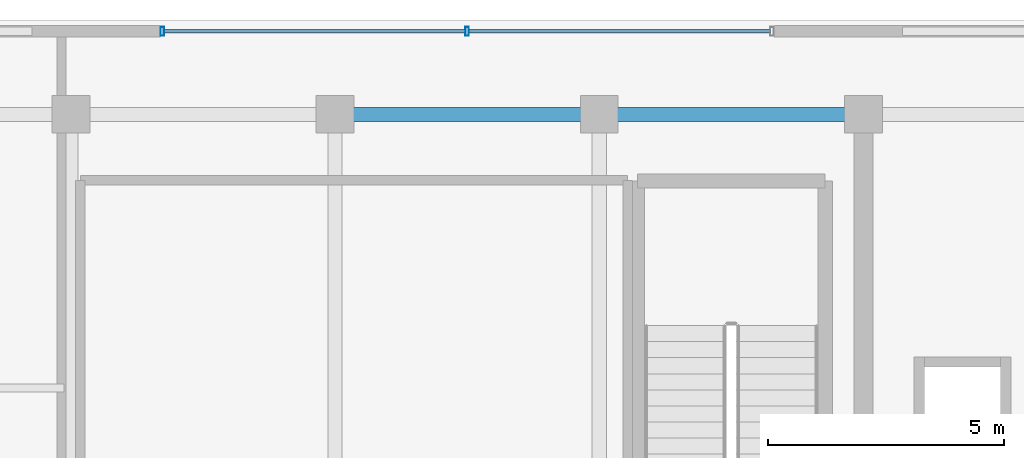
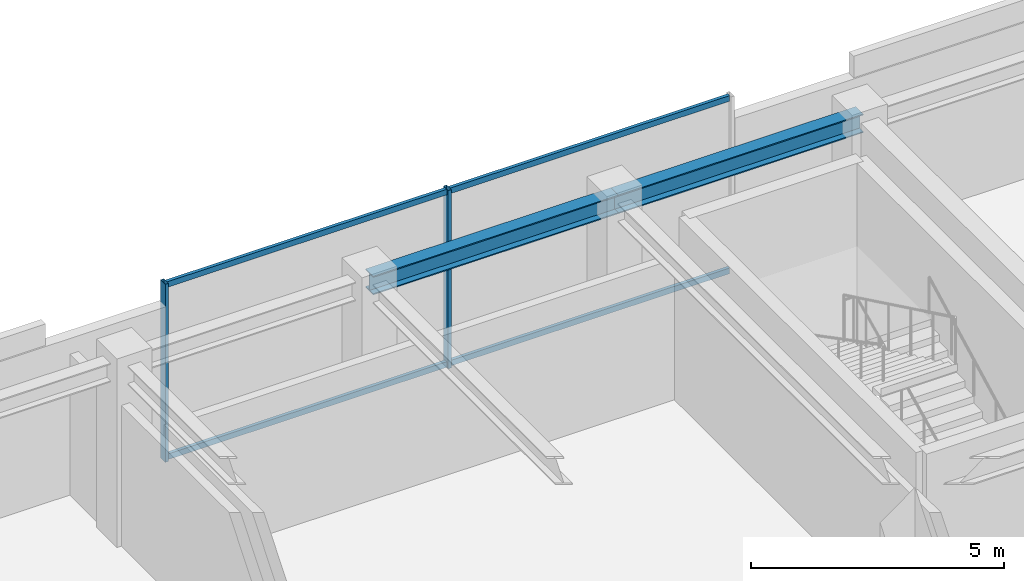
# One storey, part 12 of 18: 6 members, 2 beams, 1 element without a shape of its own.
"""IFC4 building model written with IfcOpenShell, lengths in metres."""

import ifcopenshell
import ifcopenshell.guid

model = None  # the IFC model being written
_history = None  # IfcOwnerHistory: only IFC2X3 demands one
_inside = {}  # id of a spatial element -> (the spatial element, [elements in it])
_under = {}  # id of a project, library or spatial element -> (it, [spatial elements below it])
_declared = {}  # id of a project -> (the project, [libraries it declares])
_typed = {}  # id of a type object -> (the type object, [elements of that type])
_made_of = {}  # id of a material, layer set ... -> (it, [elements and type objects made of it])


def new_model(schema):
    """Start an empty IFC model of exactly this schema.

    Asked for "IFC4X3", IfcOpenShell would pick the latest addendum, in which some entities
    have other attributes; the version numbers below select the first issue.
    IFC2X3 requires an IfcOwnerHistory on every rooted entity: one is made here for all.
    """
    global model, _history
    if schema == "IFC4X3":
        model = ifcopenshell.file(schema_version=(4, 3, 0, 0))
    else:
        model = ifcopenshell.file(schema=schema)
    _inside.clear()
    _under.clear()
    _declared.clear()
    _typed.clear()
    _made_of.clear()
    _history = None
    if model.schema == "IFC2X3":
        org = make("IfcOrganization", Name="unknown")
        user = make(
            "IfcPersonAndOrganization",
            ThePerson=make("IfcPerson", FamilyName="unknown"),
            TheOrganization=org,
        )
        app = make(
            "IfcApplication",
            ApplicationDeveloper=org,
            Version="unknown",
            ApplicationFullName="unknown",
            ApplicationIdentifier="unknown",
        )
        _history = make(
            "IfcOwnerHistory",
            OwningUser=user,
            OwningApplication=app,
            ChangeAction="ADDED",
            CreationDate=0,
        )
    return model


def make(cls, **values):
    """One entity of the class cls with the attributes given. An attribute that is None is left unset."""
    return model.create_entity(
        cls, **{name: value for name, value in values.items() if value is not None}
    )


def rooted(cls, **values):
    """An entity with a GlobalId (a new one), such as an element, a storey or a relation."""
    return make(cls, GlobalId=ifcopenshell.guid.new(), OwnerHistory=_history, **values)


def si_unit(unit_type, name, prefix=None):
    """IfcSIUnit, for example si_unit("LENGTHUNIT", "METRE", prefix="MILLI")."""
    return make("IfcSIUnit", UnitType=unit_type, Prefix=prefix, Name=name)


def assignment(units):
    """IfcUnitAssignment: the units of a project."""
    return None if units is None else make("IfcUnitAssignment", Units=units)


def point(xyz):
    """IfcCartesianPoint."""
    return None if xyz is None else make("IfcCartesianPoint", Coordinates=xyz)


def direction(xyz):
    """IfcDirection."""
    return None if xyz is None else make("IfcDirection", DirectionRatios=xyz)


def frame(location, z_axis=None, x_axis=None):
    """IfcAxis2Placement3D, a coordinate frame: its origin and axes. An axis left out is left unset."""
    return make(
        "IfcAxis2Placement3D",
        Location=point(location),
        Axis=direction(z_axis),
        RefDirection=direction(x_axis),
    )


def frame_2d(location, x_axis=None):
    """IfcAxis2Placement2D, a coordinate frame in the plane: its origin and x axis."""
    return make(
        "IfcAxis2Placement2D", Location=point(location), RefDirection=direction(x_axis)
    )


def origin():
    """The frame at (0, 0, 0) with its axes left unset."""
    return frame((0.0, 0.0, 0.0))


def origin_2d():
    """The frame at (0, 0) in the plane with its x axis left unset."""
    return frame_2d((0.0, 0.0))


def place(relative_to, where):
    """IfcLocalPlacement: puts the frame where relative to a parent placement (None: the world)."""
    return make(
        "IfcLocalPlacement", PlacementRelTo=relative_to, RelativePlacement=where
    )


def context(
    kind, dimensions, precision=None, world=None, true_north=None, identifier=None
):
    """IfcGeometricRepresentationContext, for example the 3D "Model" context."""
    return make(
        "IfcGeometricRepresentationContext",
        ContextIdentifier=identifier,
        ContextType=kind,
        CoordinateSpaceDimension=dimensions,
        Precision=precision,
        WorldCoordinateSystem=world,
        TrueNorth=true_north,
    )


def subcontext(parent, identifier, kind, view, scale=None):
    """IfcGeometricRepresentationSubContext, for example "Body" below "Model"."""
    return make(
        "IfcGeometricRepresentationSubContext",
        ContextIdentifier=identifier,
        ContextType=kind,
        ParentContext=parent,
        TargetScale=scale,
        TargetView=view,
    )


def project(units=None, contexts=None):
    """IfcProject with its units and contexts."""
    return rooted(
        "IfcProject",
        Name="project",
        RepresentationContexts=contexts,
        UnitsInContext=assignment(units),
    )


def spatial(cls, under=None, at=None, **own):
    """A site, building, storey or space (cls), placed at a placement, below another one or the project."""
    s = rooted(cls, ObjectPlacement=at, **own)
    if under is not None:
        _under.setdefault(under.id(), (under, []))[1].append(s)
    return s


def profile(cls, at=None, kind="AREA", **sizes):
    """A parametric profile (cls). Its sizes go by their IFC names, for example OverallWidth=200.0."""
    return make(cls, ProfileType=kind, Position=at, **sizes)


def hollow_rectangle(**sizes):
    """IfcRectangleHollowProfileDef."""
    return profile("IfcRectangleHollowProfileDef", **sizes)


def i_section(**sizes):
    """IfcIShapeProfileDef."""
    return profile("IfcIShapeProfileDef", **sizes)


def extrude(swept, where, along, depth):
    """IfcExtrudedAreaSolid: the profile swept, set in the frame where, extruded along a direction by depth."""
    return make(
        "IfcExtrudedAreaSolid",
        SweptArea=swept,
        Position=where,
        ExtrudedDirection=direction(along),
        Depth=depth,
    )


def shape(context_of_items, identifier, shape_type, items):
    """IfcShapeRepresentation: the items that make up one representation, for example the "Body"."""
    return make(
        "IfcShapeRepresentation",
        ContextOfItems=context_of_items,
        RepresentationIdentifier=identifier,
        RepresentationType=shape_type,
        Items=items,
    )


def source(mapping_origin, context_of_items, identifier, shape_type, items):
    """IfcRepresentationMap: a shape defined once, which mapped items show again and again."""
    return make(
        "IfcRepresentationMap",
        MappingOrigin=mapping_origin,
        MappedRepresentation=shape(context_of_items, identifier, shape_type, items),
    )


def transform(
    local_origin,
    x_axis=None,
    y_axis=None,
    z_axis=None,
    scale=None,
    scale2=None,
    scale3=None,
    uniform=True,
):
    """IfcCartesianTransformationOperator3D, or its non-uniform kind. x_axis, y_axis, z_axis: its Axis1, 2, 3."""
    if uniform:
        return make(
            "IfcCartesianTransformationOperator3D",
            Axis1=direction(x_axis),
            Axis2=direction(y_axis),
            LocalOrigin=point(local_origin),
            Scale=scale,
            Axis3=direction(z_axis),
        )
    return make(
        "IfcCartesianTransformationOperator3DnonUniform",
        Axis1=direction(x_axis),
        Axis2=direction(y_axis),
        LocalOrigin=point(local_origin),
        Scale=scale,
        Axis3=direction(z_axis),
        Scale2=scale2,
        Scale3=scale3,
    )


def mapped(mapping_source, mapping_target):
    """IfcMappedItem: shows the shape of a source again, moved by a transform."""
    return make(
        "IfcMappedItem", MappingSource=mapping_source, MappingTarget=mapping_target
    )


def material(Name=None, Category=None):
    """IfcMaterial."""
    return make("IfcMaterial", Name=Name, Category=Category)


def material_profile(
    of_material, cross_section, Name=None, Category=None, Priority=None
):
    """IfcMaterialProfile: a cross section and its material."""
    return make(
        "IfcMaterialProfile",
        Name=Name,
        Material=of_material,
        Profile=cross_section,
        Priority=Priority,
        Category=Category,
    )


def profile_set(profiles, Name=None, composite=None):
    """IfcMaterialProfileSet."""
    return make(
        "IfcMaterialProfileSet",
        Name=Name,
        MaterialProfiles=profiles,
        CompositeProfile=composite,
    )


def made_of(thing, what):
    """Note that an element or type object is made of a material, layer set ...; save() writes the relation."""
    if what is not None:
        _made_of.setdefault(what.id(), (what, []))[1].append(thing)
    return thing


def type_object(cls, material=None, **own):
    """A type object (cls), such as IfcWallType, which elements share."""
    return made_of(rooted(cls, **own), material)


def element(
    cls,
    number,
    at=None,
    inside=None,
    cuts=None,
    type_object=None,
    material=None,
    context=None,
    identifier="Body",
    shape_type=None,
    held_by="IfcProductDefinitionShape",
    body=None,
    shapes=None,
    **own,
):
    """One element of the class cls, such as IfcWall. Its Tag is "e" and its number.

    at: its placement. inside: the storey or other place that contains it. cuts: it is an
    opening in that element (IfcRelVoidsElement). A single representation is given by context,
    identifier, shape_type and body (its items); several are given by shapes. held_by: the class
    of the entity that holds the representations. save() writes the other relations.
    """
    e = rooted(cls, Tag="e%d" % number, ObjectPlacement=at, **own)
    if body is not None:
        shapes = [shape(context, identifier, shape_type, body)]
    if shapes is not None:
        e.Representation = make(held_by, Representations=shapes)
    if inside is not None:
        _inside.setdefault(inside.id(), (inside, []))[1].append(e)
    if cuts is not None:
        rooted(
            "IfcRelVoidsElement", RelatingBuildingElement=cuts, RelatedOpeningElement=e
        )
    if type_object is not None:
        _typed.setdefault(type_object.id(), (type_object, []))[1].append(e)
    return made_of(e, material)


def aggregate(whole, parts):
    """IfcRelAggregates: a whole, such as a stair, and the parts it consists of."""
    return rooted("IfcRelAggregates", RelatingObject=whole, RelatedObjects=parts)


def save(model, path):
    """Write the relations noted so far, then the file.

    IfcRelAggregates (storeys below a building ...), IfcRelContainedInSpatialStructure (elements
    in a storey), IfcRelDefinesByType, IfcRelAssociatesMaterial and IfcRelDeclares: one each for
    every whole, place, type object, material and project.
    """
    for whole, parts in _under.values():
        aggregate(whole, parts)
    for where, things in _inside.values():
        rooted(
            "IfcRelContainedInSpatialStructure",
            RelatedElements=things,
            RelatingStructure=where,
        )
    for kind, things in _typed.values():
        rooted("IfcRelDefinesByType", RelatedObjects=things, RelatingType=kind)
    for what, things in _made_of.values():
        rooted("IfcRelAssociatesMaterial", RelatedObjects=things, RelatingMaterial=what)
    for by, libraries in _declared.values():
        rooted("IfcRelDeclares", RelatingContext=by, RelatedDefinitions=libraries)
    model.write(path)


model = new_model("IFC4")

# Units and contexts
model_context = context("Model", 3, precision=1e-05, world=origin(), true_north=direction((0.0, 1.0)))
body_context = subcontext(model_context, "Body", "Model", "MODEL_VIEW")
ifc_project = project(units=[si_unit("LENGTHUNIT", "METRE"), si_unit("AREAUNIT", "SQUARE_METRE"), si_unit("VOLUMEUNIT", "CUBIC_METRE"), si_unit("PLANEANGLEUNIT", "RADIAN"), si_unit("MASSUNIT", "GRAM", prefix="KILO")], contexts=[model_context])

# Site, building, storey
site_placement = place(None, origin())
site = spatial("IfcSite", under=ifc_project, at=site_placement, CompositionType="ELEMENT")
building_placement = place(site_placement, origin())
building = spatial("IfcBuilding", under=site, at=building_placement, Name="Nahalor Promenade Grand Hotel", CompositionType="ELEMENT")
storey_placement = place(building_placement, frame((0.0, 0.0, 366.25)))
storey = spatial("IfcBuildingStorey", under=building, at=storey_placement, Name="L93", CompositionType="ELEMENT", Elevation=366.25)

# Beams
ifc_material_1 = material(Name="Steel S355JR", Category="steel")
ifc_material_profile_1 = material_profile(ifc_material_1, i_section(OverallWidth=0.3, OverallDepth=0.45, WebThickness=0.014, FlangeThickness=0.026, at=origin_2d()), Name="HEB 450")
ifc_profile_set_1 = profile_set([ifc_material_profile_1], Name="Steel S355JR")
beam_type = type_object("IfcBeamType", Name="Beam-Girder-HEB450", PredefinedType="BEAM", material=ifc_profile_set_1)
shared_shape_1 = source(origin(), body_context, "Body", "SweptSolid", [
    extrude(i_section(OverallWidth=0.3, OverallDepth=0.45, WebThickness=0.014, FlangeThickness=0.026, at=origin_2d()), origin(), (0.0, 0.0, 1.0), 5.599853515625),
])
beam_1_placement = place(storey_placement, frame((2.800048828125, 17.0, 4.074951171875), z_axis=(1.0, 0.0, 0.0), x_axis=(0.0, 1.0, 0.0)))
element("IfcBeam", 1, at=beam_1_placement, inside=storey, type_object=beam_type, Name="BM-L93-GX-3-3", PredefinedType="BEAM", context=body_context, shape_type="MappedRepresentation", body=[
    mapped(shared_shape_1, transform((0.0, 0.0, 0.0), scale=1.0)),
])
shared_shape_2 = source(origin(), body_context, "Body", "SweptSolid", [
    extrude(i_section(OverallWidth=0.3, OverallDepth=0.45, WebThickness=0.014, FlangeThickness=0.026, at=origin_2d()), origin(), (0.0, 0.0, 1.0), 5.60009765625),
])
beam_2_placement = place(storey_placement, frame((-2.800048828125, 17.0, 4.074951171875), z_axis=(1.0, 0.0, 0.0), x_axis=(0.0, 1.0, 0.0)))
element("IfcBeam", 2, at=beam_2_placement, inside=storey, type_object=beam_type, Name="BM-L93-GX-3-2", PredefinedType="BEAM", context=body_context, shape_type="MappedRepresentation", body=[
    mapped(shared_shape_2, transform((0.0, 0.0, 0.0), scale=1.0)),
])

# Curtain wall, members
ifc_material_2 = material(Name="Anodised Bronze Aluminium EN AW-6063 T6", Category="aluminium")
curtain_wall_type = type_object("IfcCurtainWallType", Name="CW6 Crown Botanical Conservatory Curtain Wall", PredefinedType="USERDEFINED", material=ifc_material_2)
curtain_wall_placement = place(storey_placement, origin())
curtain_wall = element("IfcCurtainWall", 3, at=curtain_wall_placement, inside=storey, type_object=curtain_wall_type, Name="L93 Curtain Wall CW-L93-N", ObjectType="UNITISED_CURTAIN_WALL", PredefinedType="USERDEFINED")
ifc_material_profile_2 = material_profile(ifc_material_2, hollow_rectangle(XDim=0.075, YDim=0.135, WallThickness=0.004, at=origin_2d()), Name="CWT 75x135x4")
ifc_profile_set_2 = profile_set([ifc_material_profile_2], Name="Anodised Bronze Aluminium EN AW-6063 T6")
member_type_1 = type_object("IfcMemberType", Name="CWT6 Conservatory Transom 75x135", PredefinedType="USERDEFINED", material=ifc_profile_set_2)
shared_shape_3 = source(origin(), body_context, "Body", "SweptSolid", [
    extrude(hollow_rectangle(XDim=0.075, YDim=0.135, WallThickness=0.004, at=origin_2d()), origin(), (0.0, 0.0, 1.0), 6.387451171875),
])
member_1_placement = place(storey_placement, frame((-6.425048828125, 18.760009765625, 0.0673828125), z_axis=(1.0, 0.0, 0.0), x_axis=(0.0, 1.0, 0.0)))
member_1 = element("IfcMember", 4, at=member_1_placement, type_object=member_type_1, Name="CW-L93-N Transom 0-0", ObjectType="TRANSOM", PredefinedType="USERDEFINED", context=body_context, shape_type="MappedRepresentation", body=[
    mapped(shared_shape_3, transform((0.0, 0.0, 0.0), scale=1.0)),
])
member_2_placement = place(storey_placement, frame((-6.425048828125, 18.760009765625, 4.232421875), z_axis=(1.0, 0.0, 0.0), x_axis=(0.0, 1.0, 0.0)))
member_2 = element("IfcMember", 5, at=member_2_placement, type_object=member_type_1, Name="CW-L93-N Transom 0-1", ObjectType="TRANSOM", PredefinedType="USERDEFINED", context=body_context, shape_type="MappedRepresentation", body=[
    mapped(shared_shape_3, transform((0.0, 0.0, 0.0), scale=1.0)),
])
member_3_placement = place(storey_placement, frame((0.03759765625, 18.760009765625, 0.0673828125), z_axis=(1.0, 0.0, 0.0), x_axis=(0.0, 1.0, 0.0)))
member_3 = element("IfcMember", 6, at=member_3_placement, type_object=member_type_1, Name="CW-L93-N Transom 1-0", ObjectType="TRANSOM", PredefinedType="USERDEFINED", context=body_context, shape_type="MappedRepresentation", body=[
    mapped(shared_shape_3, transform((0.0, 0.0, 0.0), scale=1.0)),
])
member_4_placement = place(storey_placement, frame((0.03759765625, 18.760009765625, 4.232421875), z_axis=(1.0, 0.0, 0.0), x_axis=(0.0, 1.0, 0.0)))
member_4 = element("IfcMember", 7, at=member_4_placement, type_object=member_type_1, Name="CW-L93-N Transom 1-1", ObjectType="TRANSOM", PredefinedType="USERDEFINED", context=body_context, shape_type="MappedRepresentation", body=[
    mapped(shared_shape_3, transform((0.0, 0.0, 0.0), scale=1.0)),
])
ifc_material_profile_3 = material_profile(ifc_material_2, hollow_rectangle(XDim=0.075, YDim=0.19, WallThickness=0.005, at=origin_2d()), Name="CWM 75x190x5")
ifc_profile_set_3 = profile_set([ifc_material_profile_3], Name="Anodised Bronze Aluminium EN AW-6063 T6")
member_type_2 = type_object("IfcMemberType", Name="CWM6 Conservatory Bronze Mullion 75x190", PredefinedType="MULLION", material=ifc_profile_set_3)
shared_shape_4 = source(origin(), body_context, "Body", "SweptSolid", [
    extrude(hollow_rectangle(XDim=0.075, YDim=0.19, WallThickness=0.005, at=origin_2d()), origin(), (0.0, 0.0, 1.0), 4.300048828125),
])
member_5_placement = place(storey_placement, frame((-6.46240234375, 18.760009765625, 0.0), z_axis=(0.0, 0.0, 1.0), x_axis=(1.0, 0.0, 0.0)))
member_5 = element("IfcMember", 8, at=member_5_placement, type_object=member_type_2, Name="CW-L93-N Mullion 0", PredefinedType="MULLION", context=body_context, shape_type="MappedRepresentation", body=[
    mapped(shared_shape_4, transform((0.0, 0.0, 0.0), scale=1.0)),
])
member_6_placement = place(storey_placement, frame((0.0, 18.760009765625, 0.0), z_axis=(0.0, 0.0, 1.0), x_axis=(1.0, 0.0, 0.0)))
member_6 = element("IfcMember", 9, at=member_6_placement, type_object=member_type_2, Name="CW-L93-N Mullion 1", PredefinedType="MULLION", context=body_context, shape_type="MappedRepresentation", body=[
    mapped(shared_shape_4, transform((0.0, 0.0, 0.0), scale=1.0)),
])
aggregate(curtain_wall, [member_5, member_6, member_1, member_2, member_3, member_4])

save(model, "model.ifc")
